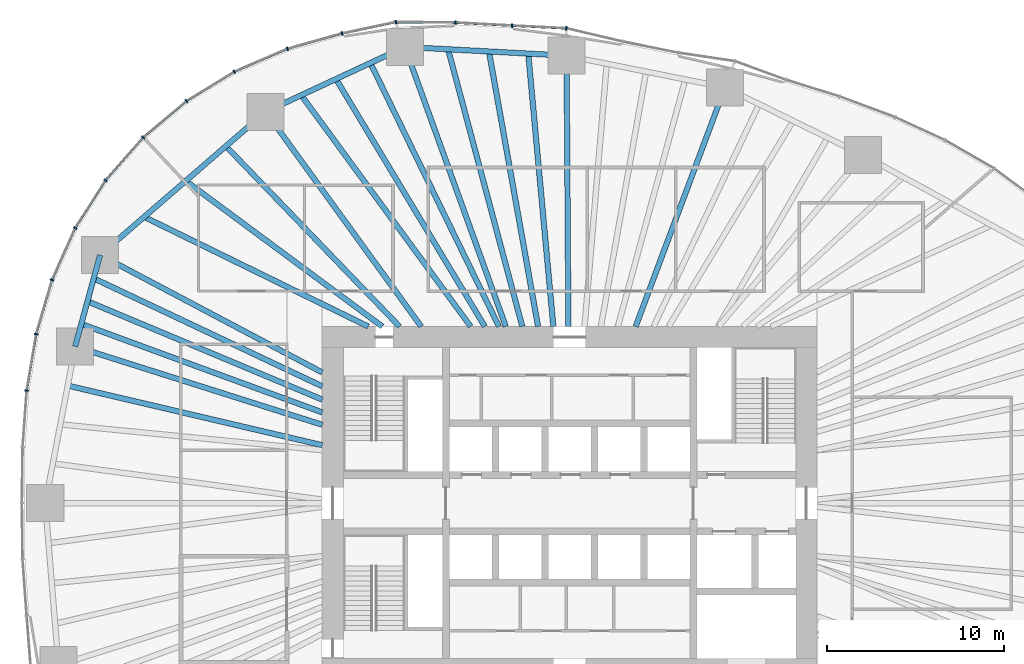
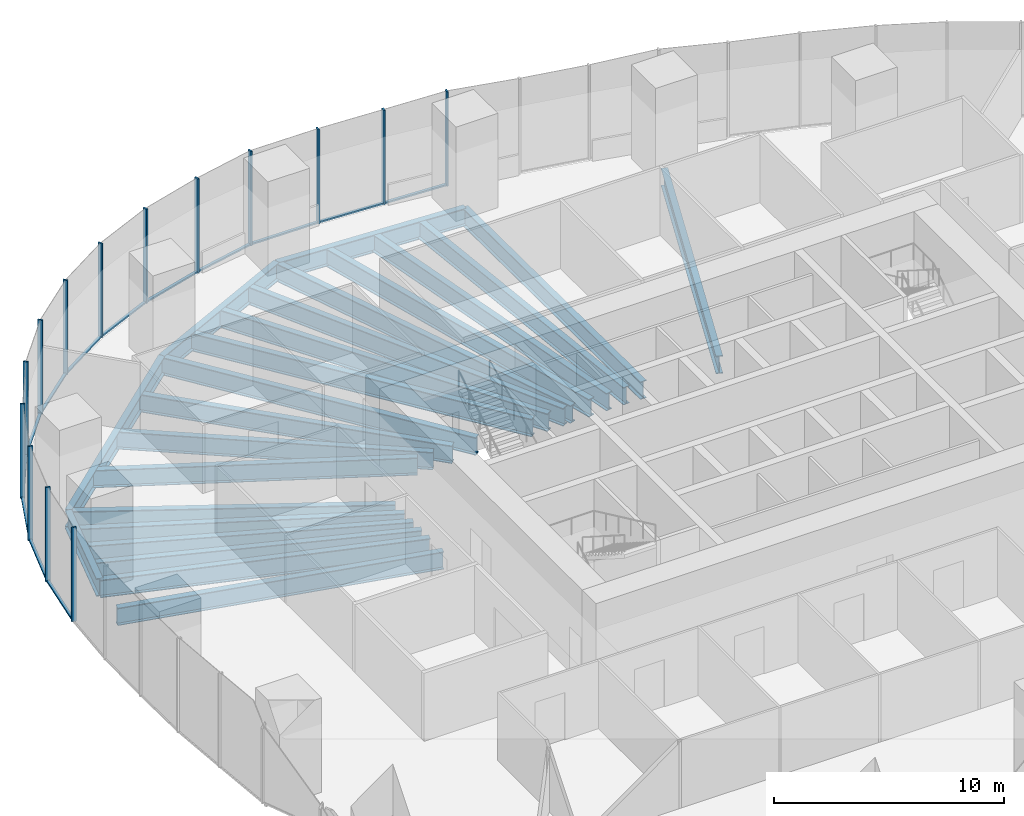
# One storey, part 5 of 20: 27 members, 23 beams, 5 elements without a shape of their own.
"""IFC4 building model written with IfcOpenShell, lengths in metres."""

from ifc_helpers import new_model, si_unit, direction, frame, origin, origin_2d, place, context, subcontext, project, spatial, rectangle, i_section, extrude, material, material_profile, profile_set, type_object, element, aggregate, save


model = new_model("IFC4")

# Units and contexts
model_context = context("Model", 3, precision=1e-05, world=origin(), true_north=direction((0.0, 1.0)))
body_context = subcontext(model_context, "Body", "Model", "MODEL_VIEW")
ifc_project = project(units=[si_unit("LENGTHUNIT", "METRE"), si_unit("AREAUNIT", "SQUARE_METRE"), si_unit("VOLUMEUNIT", "CUBIC_METRE"), si_unit("PLANEANGLEUNIT", "RADIAN"), si_unit("MASSUNIT", "GRAM", prefix="KILO")], contexts=[model_context])

# Site, building, storey
site_placement = place(None, origin())
site = spatial("IfcSite", under=ifc_project, at=site_placement, CompositionType="ELEMENT")
building_placement = place(site_placement, origin())
building = spatial("IfcBuilding", under=site, at=building_placement, Name="Ghaith Harvest Tower", CompositionType="ELEMENT")
storey_placement = place(building_placement, frame((0.0, 0.0, 50.0)))
storey = spatial("IfcBuildingStorey", under=building, at=storey_placement, Name="L10", CompositionType="ELEMENT", Elevation=50.0)

# Curtain wall, members
ifc_material_1 = material(Name="Black anodised aluminium and fritted glass", Category="aluminium")
curtain_wall_type = type_object("IfcCurtainWallType", Name="CW-F CURTAIN WALL", PredefinedType="NOTDEFINED", material=ifc_material_1)
curtain_wall_1_placement = place(storey_placement, origin())
curtain_wall_1 = element("IfcCurtainWall", 1, at=curtain_wall_1_placement, inside=storey, type_object=curtain_wall_type, Name="Curtain wall CW-F bay 06 L10", PredefinedType="NOTDEFINED")
ifc_material_2 = material(Name="Aluminium, black anodised", Category="aluminium")
ifc_material_profile_1 = material_profile(ifc_material_2, rectangle(XDim=0.080078125, YDim=0.219970703125, at=origin_2d()), Name="CW-F MULLION 80x220")
ifc_profile_set_1 = profile_set([ifc_material_profile_1], Name="Aluminium, black anodised")
member_type_1 = type_object("IfcMemberType", Name="CW-F MULLION 80x220", PredefinedType="MULLION", material=ifc_profile_set_1)
member_1_placement = place(storey_placement, frame((-0.183837890625, 26.877197265625, 0.0), z_axis=(0.0, 0.0, 1.0), x_axis=(-0.98971187143, 0.143074845976, 0.0)))
member_1 = element("IfcMember", 2, at=member_1_placement, type_object=member_type_1, Name="CW-F mullion 1 bay 06 L10", PredefinedType="MULLION", context=body_context, shape_type="SweptSolid", body=[
    extrude(rectangle(XDim=0.080078125, YDim=0.219970703125, at=origin_2d()), origin(), (0.0, 0.0, 1.0), 5.0),
])
member_2_placement = place(storey_placement, frame((-3.261962890625, 27.02978515625, 0.0), z_axis=(0.0, 0.0, 1.0), x_axis=(-0.998666923291, 0.051617597049, 0.0)))
member_2 = element("IfcMember", 3, at=member_2_placement, type_object=member_type_1, Name="CW-F mullion 2 bay 06 L10", PredefinedType="MULLION", context=body_context, shape_type="SweptSolid", body=[
    extrude(rectangle(XDim=0.080078125, YDim=0.219970703125, at=origin_2d()), origin(), (0.0, 0.0, 1.0), 5.0),
])
member_3_placement = place(storey_placement, frame((-6.465087890625, 27.20166015625, 0.0), z_axis=(0.0, 0.0, 1.0), x_axis=(-0.999527102163, 0.030750155138, 0.0)))
member_3 = element("IfcMember", 4, at=member_3_placement, type_object=member_type_1, Name="CW-F mullion 3 bay 06 L10", PredefinedType="MULLION", context=body_context, shape_type="SweptSolid", body=[
    extrude(rectangle(XDim=0.080078125, YDim=0.219970703125, at=origin_2d()), origin(), (0.0, 0.0, 1.0), 5.0),
])

curtain_wall_2_placement = place(storey_placement, origin())
curtain_wall_2 = element("IfcCurtainWall", 5, at=curtain_wall_2_placement, inside=storey, type_object=curtain_wall_type, Name="Curtain wall CW-F bay 07 L10", PredefinedType="NOTDEFINED")
member_4_placement = place(storey_placement, frame((-9.835693359375, 27.232177734375, 0.0), z_axis=(0.0, 0.0, 1.0), x_axis=(-0.995408459337, -0.095718332001, 0.0)))
member_4 = element("IfcMember", 6, at=member_4_placement, type_object=member_type_1, Name="CW-F mullion 1 bay 07 L10", PredefinedType="MULLION", context=body_context, shape_type="SweptSolid", body=[
    extrude(rectangle(XDim=0.080078125, YDim=0.219970703125, at=origin_2d()), origin(), (0.0, 0.0, 1.0), 5.0),
])
member_5_placement = place(storey_placement, frame((-12.880615234375, 26.5849609375, 0.0), z_axis=(0.0, 0.0, 1.0), x_axis=(-0.970824511782, -0.239791091, 0.0)))
member_5 = element("IfcMember", 7, at=member_5_placement, type_object=member_type_1, Name="CW-F mullion 2 bay 07 L10", PredefinedType="MULLION", context=body_context, shape_type="SweptSolid", body=[
    extrude(rectangle(XDim=0.080078125, YDim=0.219970703125, at=origin_2d()), origin(), (0.0, 0.0, 1.0), 5.0),
])
member_6_placement = place(storey_placement, frame((-15.97119140625, 25.716552734375, 0.0), z_axis=(0.0, 0.0, 1.0), x_axis=(-0.942293550527, -0.334787790451, 0.0)))
member_6 = element("IfcMember", 8, at=member_6_placement, type_object=member_type_1, Name="CW-F mullion 3 bay 07 L10", PredefinedType="MULLION", context=body_context, shape_type="SweptSolid", body=[
    extrude(rectangle(XDim=0.080078125, YDim=0.219970703125, at=origin_2d()), origin(), (0.0, 0.0, 1.0), 5.0),
])

curtain_wall_3_placement = place(storey_placement, origin())
curtain_wall_3 = element("IfcCurtainWall", 9, at=curtain_wall_3_placement, inside=storey, type_object=curtain_wall_type, Name="Curtain wall CW-F bay 08 L10", PredefinedType="NOTDEFINED")
member_7_placement = place(storey_placement, frame((-18.96728515625, 24.42236328125, 0.0), z_axis=(0.0, 0.0, 1.0), x_axis=(-0.887912253252, -0.460012859086, 0.0)))
member_7 = element("IfcMember", 10, at=member_7_placement, type_object=member_type_1, Name="CW-F mullion 1 bay 08 L10", PredefinedType="MULLION", context=body_context, shape_type="SweptSolid", body=[
    extrude(rectangle(XDim=0.080078125, YDim=0.219970703125, at=origin_2d()), origin(), (0.0, 0.0, 1.0), 5.0),
])
member_8_placement = place(storey_placement, frame((-21.681640625, 22.758056640625, 0.0), z_axis=(0.0, 0.0, 1.0), x_axis=(-0.811400750439, -0.584490224202, 0.0)))
member_8 = element("IfcMember", 11, at=member_8_placement, type_object=member_type_1, Name="CW-F mullion 2 bay 08 L10", PredefinedType="MULLION", context=body_context, shape_type="SweptSolid", body=[
    extrude(rectangle(XDim=0.080078125, YDim=0.219970703125, at=origin_2d()), origin(), (0.0, 0.0, 1.0), 5.0),
])
member_9_placement = place(storey_placement, frame((-24.139404296875, 20.696533203125, 0.0), z_axis=(0.0, 0.0, 1.0), x_axis=(-0.714663248213, -0.699468685256, 0.0)))
member_9 = element("IfcMember", 12, at=member_9_placement, type_object=member_type_1, Name="CW-F mullion 3 bay 08 L10", PredefinedType="MULLION", context=body_context, shape_type="SweptSolid", body=[
    extrude(rectangle(XDim=0.080078125, YDim=0.219970703125, at=origin_2d()), origin(), (0.0, 0.0, 1.0), 5.0),
])

curtain_wall_4_placement = place(storey_placement, origin())
curtain_wall_4 = element("IfcCurtainWall", 13, at=curtain_wall_4_placement, inside=storey, type_object=curtain_wall_type, Name="Curtain wall CW-F bay 09 L10", PredefinedType="NOTDEFINED")
member_10_placement = place(storey_placement, frame((-26.26318359375, 18.274169921875, 0.0), z_axis=(0.0, 0.0, 1.0), x_axis=(-0.599861600644, -0.800103780814, 0.0)))
member_10 = element("IfcMember", 14, at=member_10_placement, type_object=member_type_1, Name="CW-F mullion 1 bay 09 L10", PredefinedType="MULLION", context=body_context, shape_type="SweptSolid", body=[
    extrude(rectangle(XDim=0.080078125, YDim=0.219970703125, at=origin_2d()), origin(), (0.0, 0.0, 1.0), 5.0),
])
member_11_placement = place(storey_placement, frame((-27.986328125, 15.5654296875, 0.0), z_axis=(0.0, 0.0, 1.0), x_axis=(-0.473265082758, -0.880920065297, 0.0)))
member_11 = element("IfcMember", 15, at=member_11_placement, type_object=member_type_1, Name="CW-F mullion 2 bay 09 L10", PredefinedType="MULLION", context=body_context, shape_type="SweptSolid", body=[
    extrude(rectangle(XDim=0.080078125, YDim=0.219970703125, at=origin_2d()), origin(), (0.0, 0.0, 1.0), 5.0),
])
member_12_placement = place(storey_placement, frame((-29.29248046875, 12.63525390625, 0.0), z_axis=(0.0, 0.0, 1.0), x_axis=(-0.344618322502, -0.938742889079, 0.0)))
member_12 = element("IfcMember", 16, at=member_12_placement, type_object=member_type_1, Name="CW-F mullion 3 bay 09 L10", PredefinedType="MULLION", context=body_context, shape_type="SweptSolid", body=[
    extrude(rectangle(XDim=0.080078125, YDim=0.219970703125, at=origin_2d()), origin(), (0.0, 0.0, 1.0), 5.0),
])

curtain_wall_5_placement = place(storey_placement, origin())
curtain_wall_5 = element("IfcCurtainWall", 17, at=curtain_wall_5_placement, inside=storey, type_object=curtain_wall_type, Name="Curtain wall CW-F bay 10 L10", PredefinedType="NOTDEFINED")
member_13_placement = place(storey_placement, frame((-30.1884765625, 9.567138671875, 0.0), z_axis=(0.0, 0.0, 1.0), x_axis=(-0.222967363645, -0.97482590997, 0.0)))
member_13 = element("IfcMember", 18, at=member_13_placement, type_object=member_type_1, Name="CW-F mullion 1 bay 10 L10", PredefinedType="MULLION", context=body_context, shape_type="SweptSolid", body=[
    extrude(rectangle(XDim=0.080078125, YDim=0.219970703125, at=origin_2d()), origin(), (0.0, 0.0, 1.0), 5.0),
])
member_14_placement = place(storey_placement, frame((-30.724365234375, 6.37548828125, 0.0), z_axis=(0.0, 0.0, 1.0), x_axis=(-0.119352816132, -0.99285190501, 0.0)))
member_14 = element("IfcMember", 19, at=member_14_placement, type_object=member_type_1, Name="CW-F mullion 2 bay 10 L10", PredefinedType="MULLION", context=body_context, shape_type="SweptSolid", body=[
    extrude(rectangle(XDim=0.080078125, YDim=0.219970703125, at=origin_2d()), origin(), (0.0, 0.0, 1.0), 5.0),
])

# Member
ifc_material_3 = material(Name="Aluminium, black anodised", Category="aluminium")
ifc_material_profile_2 = material_profile(ifc_material_3, rectangle(XDim=0.139892578125, YDim=0.080078125, at=origin_2d()), Name="CW-F TRANSOM 140x80")
ifc_profile_set_2 = profile_set([ifc_material_profile_2], Name="Aluminium, black anodised")
member_type_2 = type_object("IfcMemberType", Name="CW-F TRANSOM 140x80", PredefinedType="USERDEFINED", material=ifc_profile_set_2)
member_15_placement = place(storey_placement, frame((-0.223876953125, 26.879150390625, 0.0400390625), z_axis=(-0.998772539109, 0.049531960612, 0.0), x_axis=(-0.049531960612, -0.998772539109, 0.0)))
member_15 = element("IfcMember", 20, at=member_15_placement, type_object=member_type_2, Name="CW-F transom 1 bay 06 L10", ObjectType="TRANSOM", PredefinedType="USERDEFINED", context=body_context, shape_type="SweptSolid", body=[
    extrude(rectangle(XDim=0.139892578125, YDim=0.080078125, at=origin_2d()), origin(), (0.0, 0.0, 1.0), 3.001708984375),
])

member_16_placement = place(storey_placement, frame((-3.3017578125, 27.031982421875, 0.0400390625), z_axis=(-0.99856142387, 0.053619798202, 0.0), x_axis=(-0.053619798202, -0.99856142387, 0.0)))
member_16 = element("IfcMember", 21, at=member_16_placement, type_object=member_type_2, Name="CW-F transom 2 bay 06 L10", ObjectType="TRANSOM", PredefinedType="USERDEFINED", context=body_context, shape_type="SweptSolid", body=[
    extrude(rectangle(XDim=0.139892578125, YDim=0.080078125, at=origin_2d()), origin(), (0.0, 0.0, 1.0), 3.1279296875),
])

member_17_placement = place(storey_placement, frame((-6.505126953125, 27.2021484375, 0.0400390625), z_axis=(-0.999959703847, 0.008977231352, 0.0), x_axis=(-0.008977231352, -0.999959703847, 0.0)))
member_17 = element("IfcMember", 22, at=member_17_placement, type_object=member_type_2, Name="CW-F transom 3 bay 06 L10", ObjectType="TRANSOM", PredefinedType="USERDEFINED", context=body_context, shape_type="SweptSolid", body=[
    extrude(rectangle(XDim=0.139892578125, YDim=0.080078125, at=origin_2d()), origin(), (0.0, 0.0, 1.0), 3.290771484375),
])

aggregate(curtain_wall_1, [member_1, member_15, member_2, member_16, member_3, member_17])

member_18_placement = place(storey_placement, frame((-9.874755859375, 27.2236328125, 0.0400390625), z_axis=(-0.978160283029, -0.207852016359, 0.0), x_axis=(0.207852016359, -0.978160283029, 0.0)))
member_18 = element("IfcMember", 23, at=member_18_placement, type_object=member_type_2, Name="CW-F transom 1 bay 07 L10", ObjectType="TRANSOM", PredefinedType="USERDEFINED", context=body_context, shape_type="SweptSolid", body=[
    extrude(rectangle(XDim=0.139892578125, YDim=0.080078125, at=origin_2d()), origin(), (0.0, 0.0, 1.0), 3.03271484375),
])

member_19_placement = place(storey_placement, frame((-12.9189453125, 26.573974609375, 0.0400390625), z_axis=(-0.962727128991, -0.270474536888, 0.0), x_axis=(0.270474536888, -0.962727128991, 0.0)))
member_19 = element("IfcMember", 24, at=member_19_placement, type_object=member_type_2, Name="CW-F transom 2 bay 07 L10", ObjectType="TRANSOM", PredefinedType="USERDEFINED", context=body_context, shape_type="SweptSolid", body=[
    extrude(rectangle(XDim=0.139892578125, YDim=0.080078125, at=origin_2d()), origin(), (0.0, 0.0, 1.0), 3.13037109375),
])

member_20_placement = place(storey_placement, frame((-16.008056640625, 25.70068359375, 0.0400390625), z_axis=(-0.9180027124, -0.396574104079, 0.0), x_axis=(0.396574104079, -0.9180027124, 0.0)))
member_20 = element("IfcMember", 25, at=member_20_placement, type_object=member_type_2, Name="CW-F transom 3 bay 07 L10", ObjectType="TRANSOM", PredefinedType="USERDEFINED", context=body_context, shape_type="SweptSolid", body=[
    extrude(rectangle(XDim=0.139892578125, YDim=0.080078125, at=origin_2d()), origin(), (0.0, 0.0, 1.0), 3.183349609375),
])

aggregate(curtain_wall_2, [member_4, member_18, member_5, member_19, member_6, member_20])

member_21_placement = place(storey_placement, frame((-19.001220703125, 24.4013671875, 0.0400390625), z_axis=(-0.852561687195, -0.522626606219, 0.0), x_axis=(0.522626606219, -0.852561687195, 0.0)))
member_21 = element("IfcMember", 26, at=member_21_placement, type_object=member_type_2, Name="CW-F transom 1 bay 08 L10", ObjectType="TRANSOM", PredefinedType="USERDEFINED", context=body_context, shape_type="SweptSolid", body=[
    extrude(rectangle(XDim=0.139892578125, YDim=0.080078125, at=origin_2d()), origin(), (0.0, 0.0, 1.0), 3.104248046875),
])

member_22_placement = place(storey_placement, frame((-21.71240234375, 22.732421875, 0.0400390625), z_axis=(-0.766144434184, -0.642668426149, 0.0), x_axis=(0.642668426149, -0.766144434184, 0.0)))
member_22 = element("IfcMember", 27, at=member_22_placement, type_object=member_type_2, Name="CW-F transom 2 bay 08 L10", ObjectType="TRANSOM", PredefinedType="USERDEFINED", context=body_context, shape_type="SweptSolid", body=[
    extrude(rectangle(XDim=0.139892578125, YDim=0.080078125, at=origin_2d()), origin(), (0.0, 0.0, 1.0), 3.1279296875),
])

member_23_placement = place(storey_placement, frame((-24.165771484375, 20.66650390625, 0.0400390625), z_axis=(-0.65923052982, -0.751940894322, 0.0), x_axis=(0.751940894322, -0.65923052982, 0.0)))
member_23 = element("IfcMember", 28, at=member_23_placement, type_object=member_type_2, Name="CW-F transom 3 bay 08 L10", ObjectType="TRANSOM", PredefinedType="USERDEFINED", context=body_context, shape_type="SweptSolid", body=[
    extrude(rectangle(XDim=0.139892578125, YDim=0.080078125, at=origin_2d()), origin(), (0.0, 0.0, 1.0), 3.1416015625),
])

aggregate(curtain_wall_3, [member_7, member_21, member_8, member_22, member_9, member_23])

member_24_placement = place(storey_placement, frame((-26.28466796875, 18.240234375, 0.0400390625), z_axis=(-0.536754366643, -0.843738555412, 0.0), x_axis=(0.843738555412, -0.536754366643, 0.0)))
member_24 = element("IfcMember", 29, at=member_24_placement, type_object=member_type_2, Name="CW-F transom 1 bay 09 L10", ObjectType="TRANSOM", PredefinedType="USERDEFINED", context=body_context, shape_type="SweptSolid", body=[
    extrude(rectangle(XDim=0.139892578125, YDim=0.080078125, at=origin_2d()), origin(), (0.0, 0.0, 1.0), 3.13037109375),
])

member_25_placement = place(storey_placement, frame((-28.002685546875, 15.52880859375, 0.0400390625), z_axis=(-0.407123143204, -0.913373278714, 0.0), x_axis=(0.913373278714, -0.407123143204, 0.0)))
member_25 = element("IfcMember", 30, at=member_25_placement, type_object=member_type_2, Name="CW-F transom 2 bay 09 L10", ObjectType="TRANSOM", PredefinedType="USERDEFINED", context=body_context, shape_type="SweptSolid", body=[
    extrude(rectangle(XDim=0.139892578125, YDim=0.080078125, at=origin_2d()), origin(), (0.0, 0.0, 1.0), 3.1279296875),
])

member_26_placement = place(storey_placement, frame((-29.3037109375, 12.596923828125, 0.0400390625), z_axis=(-0.280324903873, -0.959905176707, 0.0), x_axis=(0.959905176707, -0.280324903873, 0.0)))
member_26 = element("IfcMember", 31, at=member_26_placement, type_object=member_type_2, Name="CW-F transom 3 bay 09 L10", ObjectType="TRANSOM", PredefinedType="USERDEFINED", context=body_context, shape_type="SweptSolid", body=[
    extrude(rectangle(XDim=0.139892578125, YDim=0.080078125, at=origin_2d()), origin(), (0.0, 0.0, 1.0), 3.1162109375),
])

aggregate(curtain_wall_4, [member_10, member_24, member_11, member_25, member_12, member_26])

member_27_placement = place(storey_placement, frame((-30.195068359375, 9.52783203125, 0.0400390625), z_axis=(-0.165527763099, -0.986205130611, 0.0), x_axis=(0.986205130611, -0.165527763099, 0.0)))
member_27 = element("IfcMember", 32, at=member_27_placement, type_object=member_type_2, Name="CW-F transom 1 bay 10 L10", ObjectType="TRANSOM", PredefinedType="USERDEFINED", context=body_context, shape_type="SweptSolid", body=[
    extrude(rectangle(XDim=0.139892578125, YDim=0.080078125, at=origin_2d()), origin(), (0.0, 0.0, 1.0), 3.15625),
])

aggregate(curtain_wall_5, [member_13, member_27, member_14])

# Beams
ifc_material_4 = material(Name="Steel ASTM A992 Grade 50", Category="steel")
ifc_material_profile_3 = material_profile(ifc_material_4, i_section(OverallWidth=0.306884765625, OverallDepth=0.94189453125, WebThickness=0.022216796875, FlangeThickness=0.039794921875, at=origin_2d()), Name="W920X345")
ifc_profile_set_3 = profile_set([ifc_material_profile_3], Name="Steel ASTM A992 Grade 50")
beam_type_1 = type_object("IfcBeamType", Name="E920-345 W920X345", PredefinedType="SPANDREL", material=ifc_profile_set_3)
beam_1_placement = place(storey_placement, frame((-0.173095703125, 25.326904296875, -0.6708984375), z_axis=(-0.998545840532, 0.053909223293, 0.0), x_axis=(-0.053909223293, -0.998545840532, 0.0)))
element("IfcBeam", 33, at=beam_1_placement, inside=storey, type_object=beam_type_1, Name="Edge beam E06 L10", PredefinedType="SPANDREL", context=body_context, shape_type="SweptSolid", body=[
    extrude(i_section(OverallWidth=0.306884765625, OverallDepth=0.94189453125, WebThickness=0.022216796875, FlangeThickness=0.039794921875, at=origin_2d()), origin(), (0.0, 0.0, 1.0), 9.166259765625),
])
beam_2_placement = place(storey_placement, frame((-9.325927734375, 25.821044921875, -0.6708984375), z_axis=(-0.906373259523, -0.422477827137, 0.0), x_axis=(0.422477827137, -0.906373259523, 0.0)))
element("IfcBeam", 34, at=beam_2_placement, inside=storey, type_object=beam_type_1, Name="Edge beam E07 L10", PredefinedType="SPANDREL", context=body_context, shape_type="SweptSolid", body=[
    extrude(i_section(OverallWidth=0.306884765625, OverallDepth=0.94189453125, WebThickness=0.022216796875, FlangeThickness=0.039794921875, at=origin_2d()), origin(), (0.0, 0.0, 1.0), 8.689453125),
])
beam_3_placement = place(storey_placement, frame((-17.201904296875, 22.14990234375, -0.6708984375), z_axis=(-0.756392158274, -0.654118416574, 0.0), x_axis=(0.654118416574, -0.756392158274, 0.0)))
element("IfcBeam", 35, at=beam_3_placement, inside=storey, type_object=beam_type_1, Name="Edge beam E08 L10", PredefinedType="SPANDREL", context=body_context, shape_type="SweptSolid", body=[
    extrude(i_section(OverallWidth=0.306884765625, OverallDepth=0.94189453125, WebThickness=0.022216796875, FlangeThickness=0.039794921875, at=origin_2d()), origin(), (0.0, 0.0, 1.0), 12.38916015625),
])
beam_4_placement = place(storey_placement, frame((-26.572998046875, 14.0458984375, -0.6708984375), z_axis=(-0.262724740433, -0.964870825947, 0.0), x_axis=(0.964870825947, -0.262724740433, 0.0)))
element("IfcBeam", 36, at=beam_4_placement, inside=storey, type_object=beam_type_1, Name="Edge beam E09 L10", PredefinedType="SPANDREL", context=body_context, shape_type="SweptSolid", body=[
    extrude(i_section(OverallWidth=0.306884765625, OverallDepth=0.94189453125, WebThickness=0.022216796875, FlangeThickness=0.039794921875, at=origin_2d()), origin(), (0.0, 0.0, 1.0), 5.366455078125),
])
ifc_material_5 = material(Name="Steel ASTM A992 Grade 50", Category="steel")
ifc_material_profile_4 = material_profile(ifc_material_5, i_section(OverallWidth=0.306884765625, OverallDepth=0.94189453125, WebThickness=0.022216796875, FlangeThickness=0.039794921875, at=origin_2d()), Name="W920X345")
ifc_profile_set_4 = profile_set([ifc_material_profile_4], Name="Steel ASTM A992 Grade 50")
beam_type_2 = type_object("IfcBeamType", Name="G920-345 W920X345", PredefinedType="BEAM", material=ifc_profile_set_4)
beam_5_placement = place(storey_placement, frame((3.73828125, 10.0, -0.6708984375), z_axis=(0.350150596156, 0.936693418367, 0.0), x_axis=(-0.936693418367, 0.350150596156, 0.0)))
element("IfcBeam", 37, at=beam_5_placement, inside=storey, type_object=beam_type_2, Name="Radial girder G05 L10", PredefinedType="BEAM", context=body_context, shape_type="SweptSolid", body=[
    extrude(i_section(OverallWidth=0.306884765625, OverallDepth=0.94189453125, WebThickness=0.022216796875, FlangeThickness=0.039794921875, at=origin_2d()), origin(), (0.0, 0.0, 1.0), 14.44140625),
])
beam_6_placement = place(storey_placement, frame((-0.068359375, 10.0, -0.6708984375), z_axis=(-0.006833335732, 0.999976652489, 0.0), x_axis=(-0.999976652489, -0.006833335732, 0.0)))
element("IfcBeam", 38, at=beam_6_placement, inside=storey, type_object=beam_type_2, Name="Radial girder G06 L10", PredefinedType="BEAM", context=body_context, shape_type="SweptSolid", body=[
    extrude(i_section(OverallWidth=0.306884765625, OverallDepth=0.94189453125, WebThickness=0.022216796875, FlangeThickness=0.039794921875, at=origin_2d()), origin(), (0.0, 0.0, 1.0), 15.3271484375),
])
beam_7_placement = place(storey_placement, frame((-3.61181640625, 10.0, -0.6708984375), z_axis=(-0.339694751271, 0.940535738799, 0.0), x_axis=(-0.940535738799, -0.339694751271, 0.0)))
element("IfcBeam", 39, at=beam_7_placement, inside=storey, type_object=beam_type_2, Name="Radial girder G07 L10", PredefinedType="BEAM", context=body_context, shape_type="SweptSolid", body=[
    extrude(i_section(OverallWidth=0.306884765625, OverallDepth=0.94189453125, WebThickness=0.022216796875, FlangeThickness=0.039794921875, at=origin_2d()), origin(), (0.0, 0.0, 1.0), 16.8212890625),
])
beam_8_placement = place(storey_placement, frame((-8.39990234375, 10.0, -0.6708984375), z_axis=(-0.586675813287, 0.809821887889, 0.0), x_axis=(-0.809821887889, -0.586675813287, 0.0)))
element("IfcBeam", 40, at=beam_8_placement, inside=storey, type_object=beam_type_2, Name="Radial girder G08 L10", PredefinedType="BEAM", context=body_context, shape_type="SweptSolid", body=[
    extrude(i_section(OverallWidth=0.306884765625, OverallDepth=0.94189453125, WebThickness=0.022216796875, FlangeThickness=0.039794921875, at=origin_2d()), origin(), (0.0, 0.0, 1.0), 15.003173828125),
])
beam_9_placement = place(storey_placement, frame((-14.0, 7.39990234375, -0.6708984375), z_axis=(-0.88408713845, 0.467322085533, 0.0), x_axis=(-0.467322085533, -0.88408713845, 0.0)))
element("IfcBeam", 41, at=beam_9_placement, inside=storey, type_object=beam_type_2, Name="Radial girder G09 L10", PredefinedType="BEAM", context=body_context, shape_type="SweptSolid", body=[
    extrude(i_section(OverallWidth=0.306884765625, OverallDepth=0.94189453125, WebThickness=0.022216796875, FlangeThickness=0.039794921875, at=origin_2d()), origin(), (0.0, 0.0, 1.0), 14.221435546875),
])
beam_10_placement = place(storey_placement, frame((-14.0, 4.43701171875, -0.6708984375), z_axis=(-0.953283605796, 0.302076756671, 0.0), x_axis=(-0.302076756671, -0.953283605796, 0.0)))
element("IfcBeam", 42, at=beam_10_placement, inside=storey, type_object=beam_type_2, Name="Radial girder G10 L10", PredefinedType="BEAM", context=body_context, shape_type="SweptSolid", body=[
    extrude(i_section(OverallWidth=0.306884765625, OverallDepth=0.94189453125, WebThickness=0.022216796875, FlangeThickness=0.039794921875, at=origin_2d()), origin(), (0.0, 0.0, 1.0), 14.668212890625),
])
ifc_material_6 = material(Name="Steel ASTM A992 Grade 50", Category="steel")
ifc_material_profile_5 = material_profile(ifc_material_6, i_section(OverallWidth=0.31005859375, OverallDepth=0.927001953125, WebThickness=0.019287109375, FlangeThickness=0.031982421875, at=origin_2d()), Name="W920X289")
ifc_profile_set_5 = profile_set([ifc_material_profile_5], Name="Steel ASTM A992 Grade 50")
beam_type_3 = type_object("IfcBeamType", Name="J920-289 W920X289", PredefinedType="JOIST", material=ifc_profile_set_5)
beam_11_placement = place(storey_placement, frame((-0.92041015625, 10.0, -0.66357421875), z_axis=(-0.091647013776, 0.995791556936, 0.0), x_axis=(-0.995791556936, -0.091647013776, 0.0)))
element("IfcBeam", 43, at=beam_11_placement, inside=storey, type_object=beam_type_3, Name="Joist J06.1 L10", PredefinedType="JOIST", context=body_context, shape_type="SweptSolid", body=[
    extrude(i_section(OverallWidth=0.31005859375, OverallDepth=0.927001953125, WebThickness=0.019287109375, FlangeThickness=0.031982421875, at=origin_2d()), origin(), (0.0, 0.0, 1.0), 15.50927734375),
])
beam_12_placement = place(storey_placement, frame((-1.785888671875, 10.0, -0.66357421875), z_axis=(-0.175789035136, 0.984427861819, 0.0), x_axis=(-0.984427861819, -0.175789035136, 0.0)))
element("IfcBeam", 44, at=beam_12_placement, inside=storey, type_object=beam_type_3, Name="Joist J06.2 L10", PredefinedType="JOIST", context=body_context, shape_type="SweptSolid", body=[
    extrude(i_section(OverallWidth=0.31005859375, OverallDepth=0.927001953125, WebThickness=0.019287109375, FlangeThickness=0.031982421875, at=origin_2d()), origin(), (0.0, 0.0, 1.0), 15.810302734375),
])
beam_13_placement = place(storey_placement, frame((-10.60009765625, 10.0, -0.66357421875), z_axis=(-0.803663089107, 0.595084564752, 0.0), x_axis=(-0.595084564752, -0.803663089107, 0.0)))
element("IfcBeam", 45, at=beam_13_placement, inside=storey, type_object=beam_type_3, Name="Joist J08.2 L10", PredefinedType="JOIST", context=body_context, shape_type="SweptSolid", body=[
    extrude(i_section(OverallWidth=0.31005859375, OverallDepth=0.927001953125, WebThickness=0.019287109375, FlangeThickness=0.031982421875, at=origin_2d()), origin(), (0.0, 0.0, 1.0), 13.843505859375),
])
beam_14_placement = place(storey_placement, frame((-11.39990234375, 10.0, -0.66357421875), z_axis=(-0.898274832354, 0.439434096946, 0.0), x_axis=(-0.439434096946, -0.898274832354, 0.0)))
element("IfcBeam", 46, at=beam_14_placement, inside=storey, type_object=beam_type_3, Name="Joist J08.3 L10", PredefinedType="JOIST", context=body_context, shape_type="SweptSolid", body=[
    extrude(i_section(OverallWidth=0.31005859375, OverallDepth=0.927001953125, WebThickness=0.019287109375, FlangeThickness=0.031982421875, at=origin_2d()), origin(), (0.0, 0.0, 1.0), 14.114990234375),
])
beam_15_placement = place(storey_placement, frame((-14.0, 6.614990234375, -0.66357421875), z_axis=(-0.904153428261, 0.427207886354, 0.0), x_axis=(-0.427207886354, -0.904153428261, 0.0)))
element("IfcBeam", 47, at=beam_15_placement, inside=storey, type_object=beam_type_3, Name="Joist J09.1 L10", PredefinedType="JOIST", context=body_context, shape_type="SweptSolid", body=[
    extrude(i_section(OverallWidth=0.31005859375, OverallDepth=0.927001953125, WebThickness=0.019287109375, FlangeThickness=0.031982421875, at=origin_2d()), origin(), (0.0, 0.0, 1.0), 14.303466796875),
])
beam_16_placement = place(storey_placement, frame((-14.0, 5.862548828125, -0.66357421875), z_axis=(-0.922385943167, 0.38626955853, 0.0), x_axis=(-0.38626955853, -0.922385943167, 0.0)))
element("IfcBeam", 48, at=beam_16_placement, inside=storey, type_object=beam_type_3, Name="Joist J09.2 L10", PredefinedType="JOIST", context=body_context, shape_type="SweptSolid", body=[
    extrude(i_section(OverallWidth=0.31005859375, OverallDepth=0.927001953125, WebThickness=0.019287109375, FlangeThickness=0.031982421875, at=origin_2d()), origin(), (0.0, 0.0, 1.0), 14.404296875),
])
beam_17_placement = place(storey_placement, frame((-14.0, 5.137939453125, -0.66357421875), z_axis=(-0.93877541132, 0.344529718748, 0.0), x_axis=(-0.344529718748, -0.93877541132, 0.0)))
element("IfcBeam", 49, at=beam_17_placement, inside=storey, type_object=beam_type_3, Name="Joist J09.3 L10", PredefinedType="JOIST", context=body_context, shape_type="SweptSolid", body=[
    extrude(i_section(OverallWidth=0.31005859375, OverallDepth=0.927001953125, WebThickness=0.019287109375, FlangeThickness=0.031982421875, at=origin_2d()), origin(), (0.0, 0.0, 1.0), 14.525390625),
])
beam_18_placement = place(storey_placement, frame((-14.0, 3.280517578125, -0.66357421875), z_axis=(-0.973623012228, 0.228162727151, 0.0), x_axis=(-0.228162727151, -0.973623012228, 0.0)))
element("IfcBeam", 50, at=beam_18_placement, inside=storey, type_object=beam_type_3, Name="Joist J10.1 L10", PredefinedType="JOIST", context=body_context, shape_type="SweptSolid", body=[
    extrude(i_section(OverallWidth=0.31005859375, OverallDepth=0.927001953125, WebThickness=0.019287109375, FlangeThickness=0.031982421875, at=origin_2d()), origin(), (0.0, 0.0, 1.0), 14.795166015625),
])
ifc_material_7 = material(Name="Steel ASTM A992 Grade 50", Category="steel")
ifc_material_profile_6 = material_profile(ifc_material_7, i_section(OverallWidth=0.306884765625, OverallDepth=0.94189453125, WebThickness=0.022216796875, FlangeThickness=0.039794921875, at=origin_2d()), Name="W920X345")
ifc_profile_set_6 = profile_set([ifc_material_profile_6], Name="Steel ASTM A992 Grade 50")
beam_type_4 = type_object("IfcBeamType", Name="J920-345 W920X345", PredefinedType="JOIST", material=ifc_profile_set_6)
beam_19_placement = place(storey_placement, frame((-2.677978515625, 10.0, -0.6708984375), z_axis=(-0.258679482451, 0.965963211183, 0.0), x_axis=(-0.965963211183, -0.258679482451, 0.0)))
element("IfcBeam", 51, at=beam_19_placement, inside=storey, type_object=beam_type_4, Name="Joist J06.3 L10", PredefinedType="JOIST", context=body_context, shape_type="SweptSolid", body=[
    extrude(i_section(OverallWidth=0.306884765625, OverallDepth=0.94189453125, WebThickness=0.022216796875, FlangeThickness=0.039794921875, at=origin_2d()), origin(), (0.0, 0.0, 1.0), 16.24169921875),
])
beam_20_placement = place(storey_placement, frame((-4.0, 10.0, -0.6708984375), z_axis=(-0.438505380705, 0.898728563635, 0.0), x_axis=(-0.898728563635, -0.438505380705, 0.0)))
element("IfcBeam", 52, at=beam_20_placement, inside=storey, type_object=beam_type_4, Name="Joist J07.1 L10", PredefinedType="JOIST", context=body_context, shape_type="SweptSolid", body=[
    extrude(i_section(OverallWidth=0.306884765625, OverallDepth=0.94189453125, WebThickness=0.022216796875, FlangeThickness=0.039794921875, at=origin_2d()), origin(), (0.0, 0.0, 1.0), 16.592529296875),
])
beam_21_placement = place(storey_placement, frame((-4.800048828125, 10.0, -0.6708984375), z_axis=(-0.515358894704, 0.85697445099, 0.0), x_axis=(-0.85697445099, -0.515358894704, 0.0)))
element("IfcBeam", 53, at=beam_21_placement, inside=storey, type_object=beam_type_4, Name="Joist J07.2 L10", PredefinedType="JOIST", context=body_context, shape_type="SweptSolid", body=[
    extrude(i_section(OverallWidth=0.306884765625, OverallDepth=0.94189453125, WebThickness=0.022216796875, FlangeThickness=0.039794921875, at=origin_2d()), origin(), (0.0, 0.0, 1.0), 16.34228515625),
])
beam_22_placement = place(storey_placement, frame((-5.60009765625, 10.0, -0.6708984375), z_axis=(-0.591008736068, 0.806665155992, 0.0), x_axis=(-0.806665155992, -0.591008736068, 0.0)))
element("IfcBeam", 54, at=beam_22_placement, inside=storey, type_object=beam_type_4, Name="Joist J07.3 L10", PredefinedType="JOIST", context=body_context, shape_type="SweptSolid", body=[
    extrude(i_section(OverallWidth=0.306884765625, OverallDepth=0.94189453125, WebThickness=0.022216796875, FlangeThickness=0.039794921875, at=origin_2d()), origin(), (0.0, 0.0, 1.0), 16.22509765625),
])
beam_23_placement = place(storey_placement, frame((-9.626708984375, 10.0, -0.6708984375), z_axis=(-0.693535693616, 0.720422266231, 0.0), x_axis=(-0.720422266231, -0.693535693616, 0.0)))
element("IfcBeam", 55, at=beam_23_placement, inside=storey, type_object=beam_type_4, Name="Joist J08.1 L10", PredefinedType="JOIST", context=body_context, shape_type="SweptSolid", body=[
    extrude(i_section(OverallWidth=0.306884765625, OverallDepth=0.94189453125, WebThickness=0.022216796875, FlangeThickness=0.039794921875, at=origin_2d()), origin(), (0.0, 0.0, 1.0), 14.16552734375),
])

save(model, "model.ifc")
